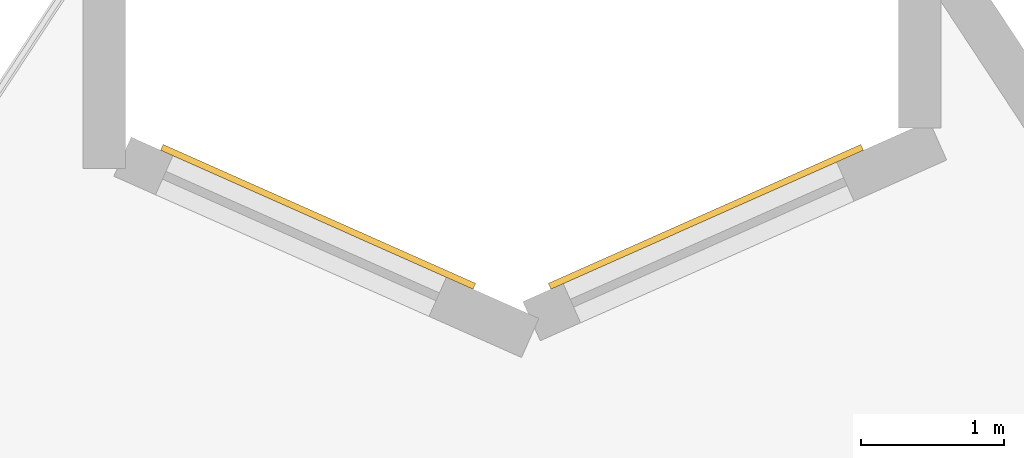
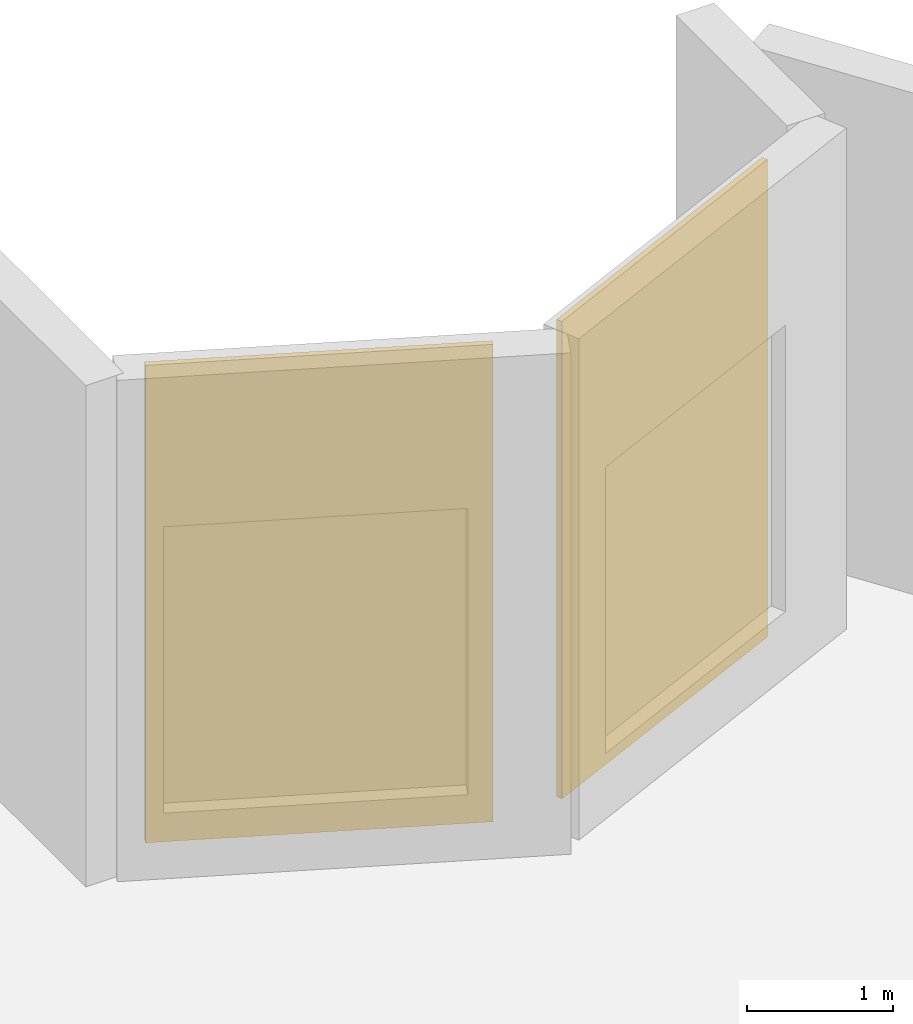
# One storey, part 12 of 12: 2 coverings.
"""IFC4 building model written with IfcOpenShell, lengths in metres."""

from ifc_helpers import new_model, si_unit, direction, frame, origin, origin_2d, place, context, subcontext, project, spatial, rectangle, extrude, material, layer, layer_set, type_object, element, save


model = new_model("IFC4")

# Units and contexts
model_context = context("Model", 3, precision=1e-05, world=origin(), true_north=direction((0.0, 1.0)))
body_context = subcontext(model_context, "Body", "Model", "MODEL_VIEW")
ifc_project = project(units=[si_unit("LENGTHUNIT", "METRE"), si_unit("AREAUNIT", "SQUARE_METRE"), si_unit("VOLUMEUNIT", "CUBIC_METRE"), si_unit("PLANEANGLEUNIT", "RADIAN"), si_unit("MASSUNIT", "GRAM", prefix="KILO")], contexts=[model_context])

# Site, building, storey
site_placement = place(None, origin())
site = spatial("IfcSite", under=ifc_project, at=site_placement, CompositionType="ELEMENT")
building_placement = place(site_placement, origin())
building = spatial("IfcBuilding", under=site, at=building_placement, Name="Almagre Mirador Tower", CompositionType="ELEMENT")
storey_placement = place(building_placement, frame((0.0, 0.0, 12.89990234375)))
storey = spatial("IfcBuildingStorey", under=building, at=storey_placement, Name="L02", CompositionType="ELEMENT", Elevation=12.89990234375)

# Coverings
ifc_material = material(Name="Almagre terracotta architectural cladding", Category="masonry")
ifc_layer = layer(ifc_material, 0.044921875)
ifc_layer_set = layer_set([ifc_layer], Name="Almagre terracotta architectural cladding")
covering_type = type_object("IfcCoveringType", Name="COV-CLAD-ALMAGRE", PredefinedType="CLADDING", material=ifc_layer_set)
for number, where, z_axis, x_axis, name in (
    (1, (34.6396484375, 47.049560546875, 0.10009765625), (0.0, 0.0, 1.0), (0.913751208531, -0.406274204089, 0.0), "L02 almagre terracotta pier cladding"),
    (2, (37.3603515625, 47.049560546875, 0.10009765625), (0.0, 0.0, 1.0), (0.913751208531, 0.406274204089, 0.0), "L02 almagre terracotta pier cladding"),
):
    element("IfcCovering", number, at=place(storey_placement, frame(where, z_axis=z_axis, x_axis=x_axis)), inside=storey, type_object=covering_type, Name=name, PredefinedType="CLADDING", context=body_context, shape_type="SweptSolid", body=[
        extrude(rectangle(XDim=2.39990234375, YDim=0.044921875, at=origin_2d()), origin(), (0.0, 0.0, 1.0), 4.0),
    ])

save(model, "model.ifc")
